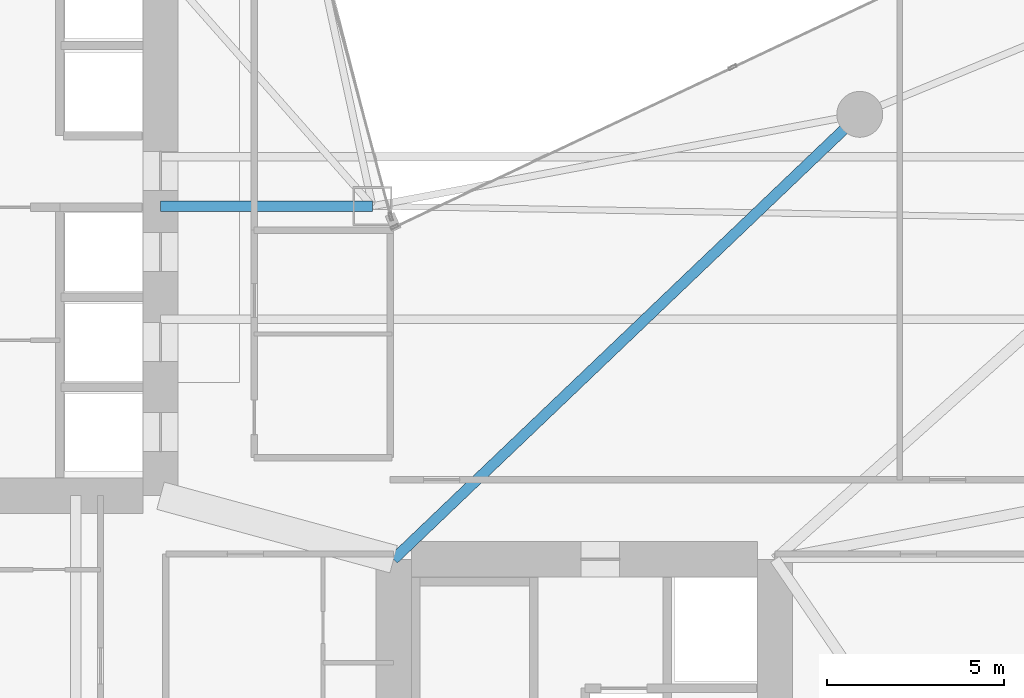
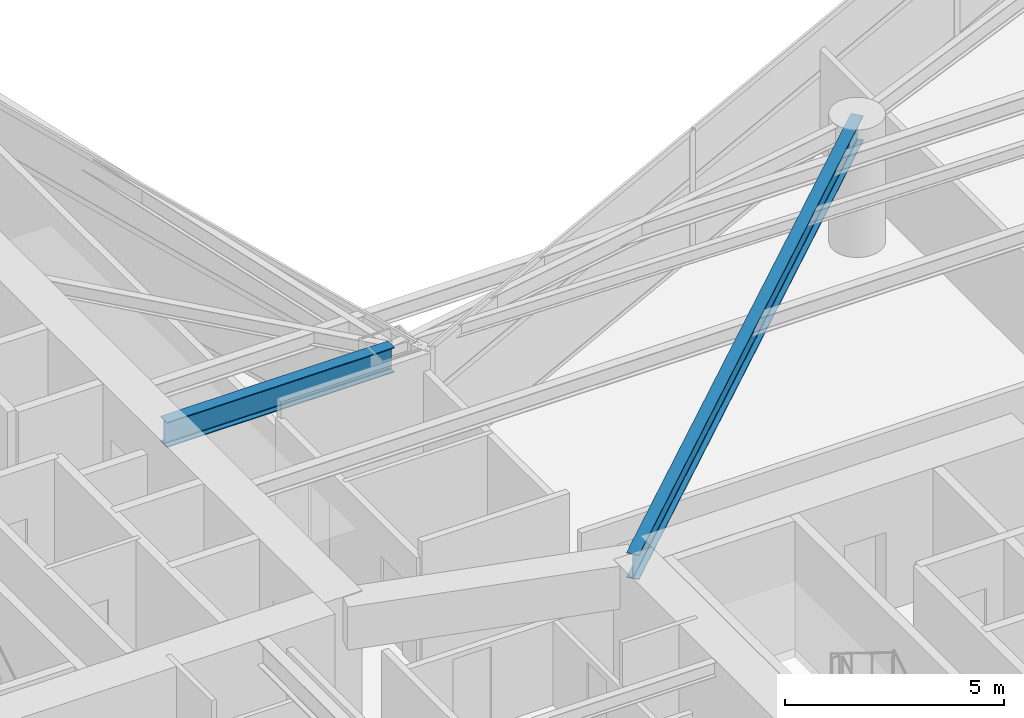
# One storey, part 9 of 29: 2 beams.
"""IFC4 building model written with IfcOpenShell, lengths in metres."""

import ifcopenshell
import ifcopenshell.guid

model = None  # the IFC model being written
_history = None  # IfcOwnerHistory: only IFC2X3 demands one
_inside = {}  # id of a spatial element -> (the spatial element, [elements in it])
_under = {}  # id of a project, library or spatial element -> (it, [spatial elements below it])
_declared = {}  # id of a project -> (the project, [libraries it declares])
_typed = {}  # id of a type object -> (the type object, [elements of that type])
_made_of = {}  # id of a material, layer set ... -> (it, [elements and type objects made of it])


def new_model(schema):
    """Start an empty IFC model of exactly this schema.

    Asked for "IFC4X3", IfcOpenShell would pick the latest addendum, in which some entities
    have other attributes; the version numbers below select the first issue.
    IFC2X3 requires an IfcOwnerHistory on every rooted entity: one is made here for all.
    """
    global model, _history
    if schema == "IFC4X3":
        model = ifcopenshell.file(schema_version=(4, 3, 0, 0))
    else:
        model = ifcopenshell.file(schema=schema)
    _inside.clear()
    _under.clear()
    _declared.clear()
    _typed.clear()
    _made_of.clear()
    _history = None
    if model.schema == "IFC2X3":
        org = make("IfcOrganization", Name="unknown")
        user = make(
            "IfcPersonAndOrganization",
            ThePerson=make("IfcPerson", FamilyName="unknown"),
            TheOrganization=org,
        )
        app = make(
            "IfcApplication",
            ApplicationDeveloper=org,
            Version="unknown",
            ApplicationFullName="unknown",
            ApplicationIdentifier="unknown",
        )
        _history = make(
            "IfcOwnerHistory",
            OwningUser=user,
            OwningApplication=app,
            ChangeAction="ADDED",
            CreationDate=0,
        )
    return model


def make(cls, **values):
    """One entity of the class cls with the attributes given. An attribute that is None is left unset."""
    return model.create_entity(
        cls, **{name: value for name, value in values.items() if value is not None}
    )


def rooted(cls, **values):
    """An entity with a GlobalId (a new one), such as an element, a storey or a relation."""
    return make(cls, GlobalId=ifcopenshell.guid.new(), OwnerHistory=_history, **values)


def si_unit(unit_type, name, prefix=None):
    """IfcSIUnit, for example si_unit("LENGTHUNIT", "METRE", prefix="MILLI")."""
    return make("IfcSIUnit", UnitType=unit_type, Prefix=prefix, Name=name)


def assignment(units):
    """IfcUnitAssignment: the units of a project."""
    return None if units is None else make("IfcUnitAssignment", Units=units)


def point(xyz):
    """IfcCartesianPoint."""
    return None if xyz is None else make("IfcCartesianPoint", Coordinates=xyz)


def direction(xyz):
    """IfcDirection."""
    return None if xyz is None else make("IfcDirection", DirectionRatios=xyz)


def frame(location, z_axis=None, x_axis=None):
    """IfcAxis2Placement3D, a coordinate frame: its origin and axes. An axis left out is left unset."""
    return make(
        "IfcAxis2Placement3D",
        Location=point(location),
        Axis=direction(z_axis),
        RefDirection=direction(x_axis),
    )


def frame_2d(location, x_axis=None):
    """IfcAxis2Placement2D, a coordinate frame in the plane: its origin and x axis."""
    return make(
        "IfcAxis2Placement2D", Location=point(location), RefDirection=direction(x_axis)
    )


def origin():
    """The frame at (0, 0, 0) with its axes left unset."""
    return frame((0.0, 0.0, 0.0))


def origin_2d():
    """The frame at (0, 0) in the plane with its x axis left unset."""
    return frame_2d((0.0, 0.0))


def place(relative_to, where):
    """IfcLocalPlacement: puts the frame where relative to a parent placement (None: the world)."""
    return make(
        "IfcLocalPlacement", PlacementRelTo=relative_to, RelativePlacement=where
    )


def context(
    kind, dimensions, precision=None, world=None, true_north=None, identifier=None
):
    """IfcGeometricRepresentationContext, for example the 3D "Model" context."""
    return make(
        "IfcGeometricRepresentationContext",
        ContextIdentifier=identifier,
        ContextType=kind,
        CoordinateSpaceDimension=dimensions,
        Precision=precision,
        WorldCoordinateSystem=world,
        TrueNorth=true_north,
    )


def subcontext(parent, identifier, kind, view, scale=None):
    """IfcGeometricRepresentationSubContext, for example "Body" below "Model"."""
    return make(
        "IfcGeometricRepresentationSubContext",
        ContextIdentifier=identifier,
        ContextType=kind,
        ParentContext=parent,
        TargetScale=scale,
        TargetView=view,
    )


def project(units=None, contexts=None):
    """IfcProject with its units and contexts."""
    return rooted(
        "IfcProject",
        Name="project",
        RepresentationContexts=contexts,
        UnitsInContext=assignment(units),
    )


def spatial(cls, under=None, at=None, **own):
    """A site, building, storey or space (cls), placed at a placement, below another one or the project."""
    s = rooted(cls, ObjectPlacement=at, **own)
    if under is not None:
        _under.setdefault(under.id(), (under, []))[1].append(s)
    return s


def profile(cls, at=None, kind="AREA", **sizes):
    """A parametric profile (cls). Its sizes go by their IFC names, for example OverallWidth=200.0."""
    return make(cls, ProfileType=kind, Position=at, **sizes)


def i_section(**sizes):
    """IfcIShapeProfileDef."""
    return profile("IfcIShapeProfileDef", **sizes)


def extrude(swept, where, along, depth):
    """IfcExtrudedAreaSolid: the profile swept, set in the frame where, extruded along a direction by depth."""
    return make(
        "IfcExtrudedAreaSolid",
        SweptArea=swept,
        Position=where,
        ExtrudedDirection=direction(along),
        Depth=depth,
    )


def shape(context_of_items, identifier, shape_type, items):
    """IfcShapeRepresentation: the items that make up one representation, for example the "Body"."""
    return make(
        "IfcShapeRepresentation",
        ContextOfItems=context_of_items,
        RepresentationIdentifier=identifier,
        RepresentationType=shape_type,
        Items=items,
    )


def material(Name=None, Category=None):
    """IfcMaterial."""
    return make("IfcMaterial", Name=Name, Category=Category)


def material_profile(
    of_material, cross_section, Name=None, Category=None, Priority=None
):
    """IfcMaterialProfile: a cross section and its material."""
    return make(
        "IfcMaterialProfile",
        Name=Name,
        Material=of_material,
        Profile=cross_section,
        Priority=Priority,
        Category=Category,
    )


def profile_set(profiles, Name=None, composite=None):
    """IfcMaterialProfileSet."""
    return make(
        "IfcMaterialProfileSet",
        Name=Name,
        MaterialProfiles=profiles,
        CompositeProfile=composite,
    )


def made_of(thing, what):
    """Note that an element or type object is made of a material, layer set ...; save() writes the relation."""
    if what is not None:
        _made_of.setdefault(what.id(), (what, []))[1].append(thing)
    return thing


def type_object(cls, material=None, **own):
    """A type object (cls), such as IfcWallType, which elements share."""
    return made_of(rooted(cls, **own), material)


def element(
    cls,
    number,
    at=None,
    inside=None,
    cuts=None,
    type_object=None,
    material=None,
    context=None,
    identifier="Body",
    shape_type=None,
    held_by="IfcProductDefinitionShape",
    body=None,
    shapes=None,
    **own,
):
    """One element of the class cls, such as IfcWall. Its Tag is "e" and its number.

    at: its placement. inside: the storey or other place that contains it. cuts: it is an
    opening in that element (IfcRelVoidsElement). A single representation is given by context,
    identifier, shape_type and body (its items); several are given by shapes. held_by: the class
    of the entity that holds the representations. save() writes the other relations.
    """
    e = rooted(cls, Tag="e%d" % number, ObjectPlacement=at, **own)
    if body is not None:
        shapes = [shape(context, identifier, shape_type, body)]
    if shapes is not None:
        e.Representation = make(held_by, Representations=shapes)
    if inside is not None:
        _inside.setdefault(inside.id(), (inside, []))[1].append(e)
    if cuts is not None:
        rooted(
            "IfcRelVoidsElement", RelatingBuildingElement=cuts, RelatedOpeningElement=e
        )
    if type_object is not None:
        _typed.setdefault(type_object.id(), (type_object, []))[1].append(e)
    return made_of(e, material)


def aggregate(whole, parts):
    """IfcRelAggregates: a whole, such as a stair, and the parts it consists of."""
    return rooted("IfcRelAggregates", RelatingObject=whole, RelatedObjects=parts)


def save(model, path):
    """Write the relations noted so far, then the file.

    IfcRelAggregates (storeys below a building ...), IfcRelContainedInSpatialStructure (elements
    in a storey), IfcRelDefinesByType, IfcRelAssociatesMaterial and IfcRelDeclares: one each for
    every whole, place, type object, material and project.
    """
    for whole, parts in _under.values():
        aggregate(whole, parts)
    for where, things in _inside.values():
        rooted(
            "IfcRelContainedInSpatialStructure",
            RelatedElements=things,
            RelatingStructure=where,
        )
    for kind, things in _typed.values():
        rooted("IfcRelDefinesByType", RelatedObjects=things, RelatingType=kind)
    for what, things in _made_of.values():
        rooted("IfcRelAssociatesMaterial", RelatedObjects=things, RelatingMaterial=what)
    for by, libraries in _declared.values():
        rooted("IfcRelDeclares", RelatingContext=by, RelatedDefinitions=libraries)
    model.write(path)


model = new_model("IFC4")

# Units and contexts
model_context = context("Model", 3, precision=1e-05, world=origin(), true_north=direction((0.0, 1.0)))
body_context = subcontext(model_context, "Body", "Model", "MODEL_VIEW")
ifc_project = project(units=[si_unit("LENGTHUNIT", "METRE"), si_unit("AREAUNIT", "SQUARE_METRE"), si_unit("VOLUMEUNIT", "CUBIC_METRE"), si_unit("PLANEANGLEUNIT", "RADIAN"), si_unit("MASSUNIT", "GRAM", prefix="KILO")], contexts=[model_context])

# Site, building, storey
site_placement = place(None, origin())
site = spatial("IfcSite", under=ifc_project, at=site_placement, CompositionType="ELEMENT")
building_placement = place(site_placement, origin())
building = spatial("IfcBuilding", under=site, at=building_placement, Name="Calvorn Quay Hotel", CompositionType="ELEMENT")
storey_placement = place(building_placement, frame((0.0, 0.0, 66.0)))
storey = spatial("IfcBuildingStorey", under=building, at=storey_placement, Name="L15", CompositionType="ELEMENT", Elevation=66.0)

# Beams
ifc_material = material(Name="Steel Q390GJC", Category="steel")
ifc_material_profile = material_profile(ifc_material, i_section(OverallWidth=0.300048828125, OverallDepth=0.699951171875, WebThickness=0.012939453125, FlangeThickness=0.02392578125, FilletRadius=0.02392578125, at=origin_2d()), Name="HN700x300x13x24")
ifc_profile_set = profile_set([ifc_material_profile], Name="Steel Q390GJC")
beam_type = type_object("IfcBeamType", Name="BM-GIRD-MAIN", PredefinedType="BEAM", material=ifc_profile_set)
beam_1_placement = place(storey_placement, frame((21.0, 25.0, 3.18994140625), z_axis=(-1.0, 0.0, 0.0), x_axis=(0.0, -1.0, 0.0)))
element("IfcBeam", 1, at=beam_1_placement, inside=storey, type_object=beam_type, Name="Beam BG-L15-W7", PredefinedType="BEAM", context=body_context, shape_type="SweptSolid", body=[
    extrude(i_section(OverallWidth=0.300048828125, OverallDepth=0.699951171875, WebThickness=0.012939453125, FlangeThickness=0.02392578125, FilletRadius=0.02392578125, at=origin_2d()), origin(), (0.0, 0.0, 1.0), 6.0),
])
beam_2_placement = place(storey_placement, frame((21.60009765625, 15.0, 3.18994140625), z_axis=(0.723351595578, 0.690479883252, 0.0), x_axis=(-0.690479883252, 0.723351595578, 0.0)))
element("IfcBeam", 2, at=beam_2_placement, inside=storey, type_object=beam_type, Name="Beam BG-L15-E4", PredefinedType="BEAM", context=body_context, shape_type="SweptSolid", body=[
    extrude(i_section(OverallWidth=0.300048828125, OverallDepth=0.699951171875, WebThickness=0.012939453125, FlangeThickness=0.02392578125, FilletRadius=0.02392578125, at=origin_2d()), origin(), (0.0, 0.0, 1.0), 18.248291015625),
])

save(model, "model.ifc")
